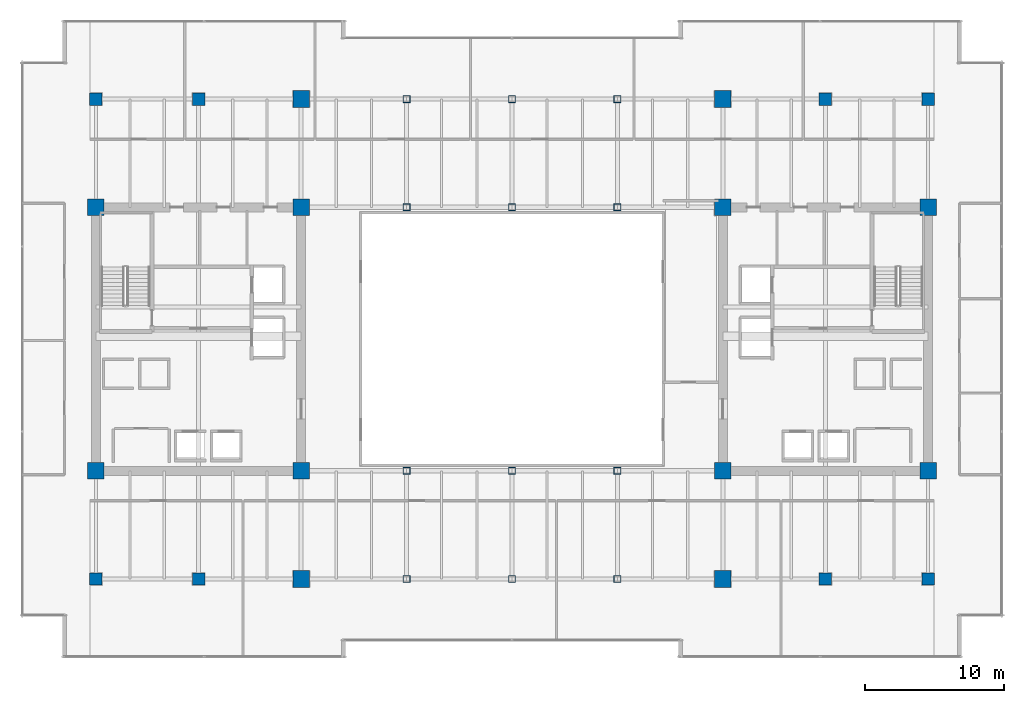
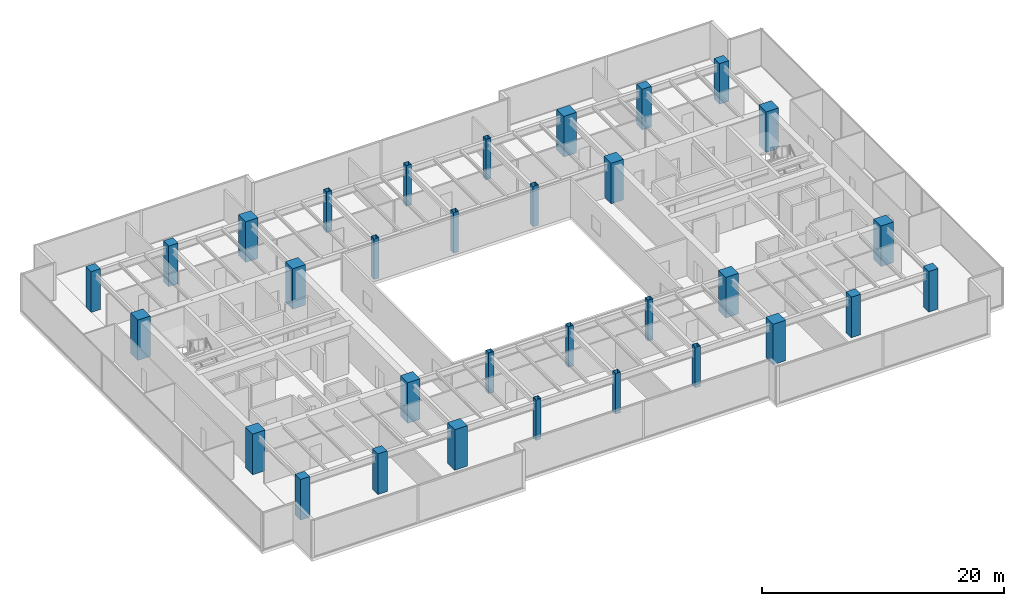
# One storey, part 1 of 33: 32 columns.
"""IFC4 building model written with IfcOpenShell, lengths in metres."""

from ifc_helpers import new_model, si_unit, direction, frame, origin, origin_2d, place, context, subcontext, project, spatial, rectangle, hollow_rectangle, extrude, source, transform, mapped, material, material_profile, profile_set, type_object, type_shapes, element, save


model = new_model("IFC4")

# Units and contexts
model_context = context("Model", 3, precision=1e-05, world=origin(), true_north=direction((0.0, 1.0)))
body_context = subcontext(model_context, "Body", "Model", "MODEL_VIEW")
ifc_project = project(units=[si_unit("LENGTHUNIT", "METRE"), si_unit("AREAUNIT", "SQUARE_METRE"), si_unit("VOLUMEUNIT", "CUBIC_METRE"), si_unit("PLANEANGLEUNIT", "RADIAN"), si_unit("MASSUNIT", "GRAM", prefix="KILO")], contexts=[model_context])

# Site, building, storey
site_placement = place(None, origin())
site = spatial("IfcSite", under=ifc_project, at=site_placement, CompositionType="ELEMENT")
building_placement = place(site_placement, origin())
building = spatial("IfcBuilding", under=site, at=building_placement, Name="Haelvirn Gate Laboratories", CompositionType="ELEMENT")
storey_placement = place(building_placement, frame((0.0, 0.0, 166.60009765625)))
storey = spatial("IfcBuildingStorey", under=building, at=storey_placement, Name="L40", CompositionType="ELEMENT", Elevation=166.60009765625)

# Columns
ifc_material_1 = material(Name="Concrete C50/60", Category="concrete")
ifc_material_profile_1 = material_profile(ifc_material_1, rectangle(XDim=0.89990234375, YDim=0.89990234375, at=origin_2d()), Name="RC-900x900")
ifc_profile_set_1 = profile_set([ifc_material_profile_1], Name="Concrete C50/60")
column_type_1 = type_object("IfcColumnType", Name="COL-RC-900", PredefinedType="COLUMN", material=ifc_profile_set_1)
shared_shape_1 = source(origin(), body_context, "Body", "SweptSolid", [
    extrude(rectangle(XDim=0.89990234375, YDim=0.89990234375, at=origin_2d()), origin(), (0.0, 0.0, 1.0), 4.099853515625),
])
type_shapes(column_type_1, [shared_shape_1])
for number, where, z_axis, x_axis, name in (
    (1, (14.800048828125, 7.0, 0.0), (0.0, 0.0, 1.0), (1.0, 0.0, 0.0), "L40 Column 3B"),
    (2, (14.800048828125, 41.60009765625, 0.0), (0.0, 0.0, 1.0), (1.0, 0.0, 0.0), "L40 Column 3G"),
    (3, (60.0, 7.0, 0.0), (0.0, 0.0, 1.0), (1.0, 0.0, 0.0), "L40 Column 9B"),
    (4, (60.0, 41.60009765625, 0.0), (0.0, 0.0, 1.0), (1.0, 0.0, 0.0), "L40 Column 9G"),
    (5, (7.39990234375, 7.0, 0.0), (0.0, 0.0, 1.0), (1.0, 0.0, 0.0), "L40 Column 2B"),
    (6, (7.39990234375, 41.60009765625, 0.0), (0.0, 0.0, 1.0), (1.0, 0.0, 0.0), "L40 Column 2G"),
    (7, (67.39990234375, 7.0, 0.0), (0.0, 0.0, 1.0), (1.0, 0.0, 0.0), "L40 Column 10B"),
    (8, (67.39990234375, 41.60009765625, 0.0), (0.0, 0.0, 1.0), (1.0, 0.0, 0.0), "L40 Column 10G"),
):
    element("IfcColumn", number, at=place(storey_placement, frame(where, z_axis=z_axis, x_axis=x_axis)), inside=storey, type_object=column_type_1, Name=name, PredefinedType="COLUMN", context=body_context, shape_type="MappedRepresentation", body=[
        mapped(shared_shape_1, transform((0.0, 0.0, 0.0), scale=1.0)),
    ])
ifc_material_2 = material(Name="Concrete C60/75", Category="concrete")
ifc_material_profile_2 = material_profile(ifc_material_2, rectangle(XDim=1.199951171875, YDim=1.199951171875, at=origin_2d()), Name="SRC-1200x1200")
ifc_profile_set_2 = profile_set([ifc_material_profile_2], Name="Concrete C60/75")
column_type_2 = type_object("IfcColumnType", Name="COL-SRC-1200", PredefinedType="COLUMN", material=ifc_profile_set_2)
shared_shape_2 = source(origin(), body_context, "Body", "SweptSolid", [
    extrude(rectangle(XDim=1.199951171875, YDim=1.199951171875, at=origin_2d()), origin(), (0.0, 0.0, 1.0), 4.099853515625),
])
type_shapes(column_type_2, [shared_shape_2])
for number, where, z_axis, x_axis, name in (
    (9, (22.199951171875, 7.0, 0.0), (0.0, 0.0, 1.0), (1.0, 0.0, 0.0), "L40 Column 4B"),
    (10, (7.39990234375, 14.800048828125, 0.0), (0.0, 0.0, 1.0), (1.0, 0.0, 0.0), "L40 Column 2C"),
    (11, (22.199951171875, 14.800048828125, 0.0), (0.0, 0.0, 1.0), (1.0, 0.0, 0.0), "L40 Column 4C"),
    (12, (7.39990234375, 33.800048828125, 0.0), (0.0, 0.0, 1.0), (1.0, 0.0, 0.0), "L40 Column 2F"),
    (13, (22.199951171875, 33.800048828125, 0.0), (0.0, 0.0, 1.0), (1.0, 0.0, 0.0), "L40 Column 4F"),
    (14, (22.199951171875, 41.60009765625, 0.0), (0.0, 0.0, 1.0), (1.0, 0.0, 0.0), "L40 Column 4G"),
    (15, (52.60009765625, 7.0, 0.0), (0.0, 0.0, 1.0), (1.0, 0.0, 0.0), "L40 Column 8B"),
    (16, (52.60009765625, 14.800048828125, 0.0), (0.0, 0.0, 1.0), (1.0, 0.0, 0.0), "L40 Column 8C"),
    (17, (67.39990234375, 14.800048828125, 0.0), (0.0, 0.0, 1.0), (1.0, 0.0, 0.0), "L40 Column 10C"),
    (18, (52.60009765625, 33.800048828125, 0.0), (0.0, 0.0, 1.0), (1.0, 0.0, 0.0), "L40 Column 8F"),
    (19, (67.39990234375, 33.800048828125, 0.0), (0.0, 0.0, 1.0), (1.0, 0.0, 0.0), "L40 Column 10F"),
    (20, (52.60009765625, 41.60009765625, 0.0), (0.0, 0.0, 1.0), (1.0, 0.0, 0.0), "L40 Column 8G"),
):
    element("IfcColumn", number, at=place(storey_placement, frame(where, z_axis=z_axis, x_axis=x_axis)), inside=storey, type_object=column_type_2, Name=name, PredefinedType="COLUMN", context=body_context, shape_type="MappedRepresentation", body=[
        mapped(shared_shape_2, transform((0.0, 0.0, 0.0), scale=1.0)),
    ])
ifc_material_3 = material(Name="Steel SM355", Category="steel")
ifc_material_profile_3 = material_profile(ifc_material_3, hollow_rectangle(XDim=0.5, YDim=0.5, WallThickness=0.02197265625, at=origin_2d()), Name="BOX-500x500x22")
ifc_profile_set_3 = profile_set([ifc_material_profile_3], Name="Steel SM355")
column_type_3 = type_object("IfcColumnType", Name="COL-BOX-500", PredefinedType="COLUMN", material=ifc_profile_set_3)
shared_shape_3 = source(origin(), body_context, "Body", "SweptSolid", [
    extrude(hollow_rectangle(XDim=0.5, YDim=0.5, WallThickness=0.02197265625, at=origin_2d()), origin(), (0.0, 0.0, 1.0), 4.099853515625),
])
type_shapes(column_type_3, [shared_shape_3])
for number, where, z_axis, x_axis, name in (
    (21, (29.800048828125, 7.0, 0.0), (0.0, 0.0, 1.0), (1.0, 0.0, 0.0), "L40 Column 5B"),
    (22, (29.800048828125, 14.800048828125, 0.0), (0.0, 0.0, 1.0), (1.0, 0.0, 0.0), "L40 Column 5C"),
    (23, (29.800048828125, 33.800048828125, 0.0), (0.0, 0.0, 1.0), (1.0, 0.0, 0.0), "L40 Column 5F"),
    (24, (29.800048828125, 41.60009765625, 0.0), (0.0, 0.0, 1.0), (1.0, 0.0, 0.0), "L40 Column 5G"),
    (25, (37.39990234375, 7.0, 0.0), (0.0, 0.0, 1.0), (1.0, 0.0, 0.0), "L40 Column 6B"),
    (26, (37.39990234375, 14.800048828125, 0.0), (0.0, 0.0, 1.0), (1.0, 0.0, 0.0), "L40 Column 6C"),
    (27, (37.39990234375, 33.800048828125, 0.0), (0.0, 0.0, 1.0), (1.0, 0.0, 0.0), "L40 Column 6F"),
    (28, (37.39990234375, 41.60009765625, 0.0), (0.0, 0.0, 1.0), (1.0, 0.0, 0.0), "L40 Column 6G"),
    (29, (45.0, 7.0, 0.0), (0.0, 0.0, 1.0), (1.0, 0.0, 0.0), "L40 Column 7B"),
    (30, (45.0, 14.800048828125, 0.0), (0.0, 0.0, 1.0), (1.0, 0.0, 0.0), "L40 Column 7C"),
    (31, (45.0, 33.800048828125, 0.0), (0.0, 0.0, 1.0), (1.0, 0.0, 0.0), "L40 Column 7F"),
    (32, (45.0, 41.60009765625, 0.0), (0.0, 0.0, 1.0), (1.0, 0.0, 0.0), "L40 Column 7G"),
):
    element("IfcColumn", number, at=place(storey_placement, frame(where, z_axis=z_axis, x_axis=x_axis)), inside=storey, type_object=column_type_3, Name=name, PredefinedType="COLUMN", context=body_context, shape_type="MappedRepresentation", body=[
        mapped(shared_shape_3, transform((0.0, 0.0, 0.0), scale=1.0)),
    ])

save(model, "model.ifc")
